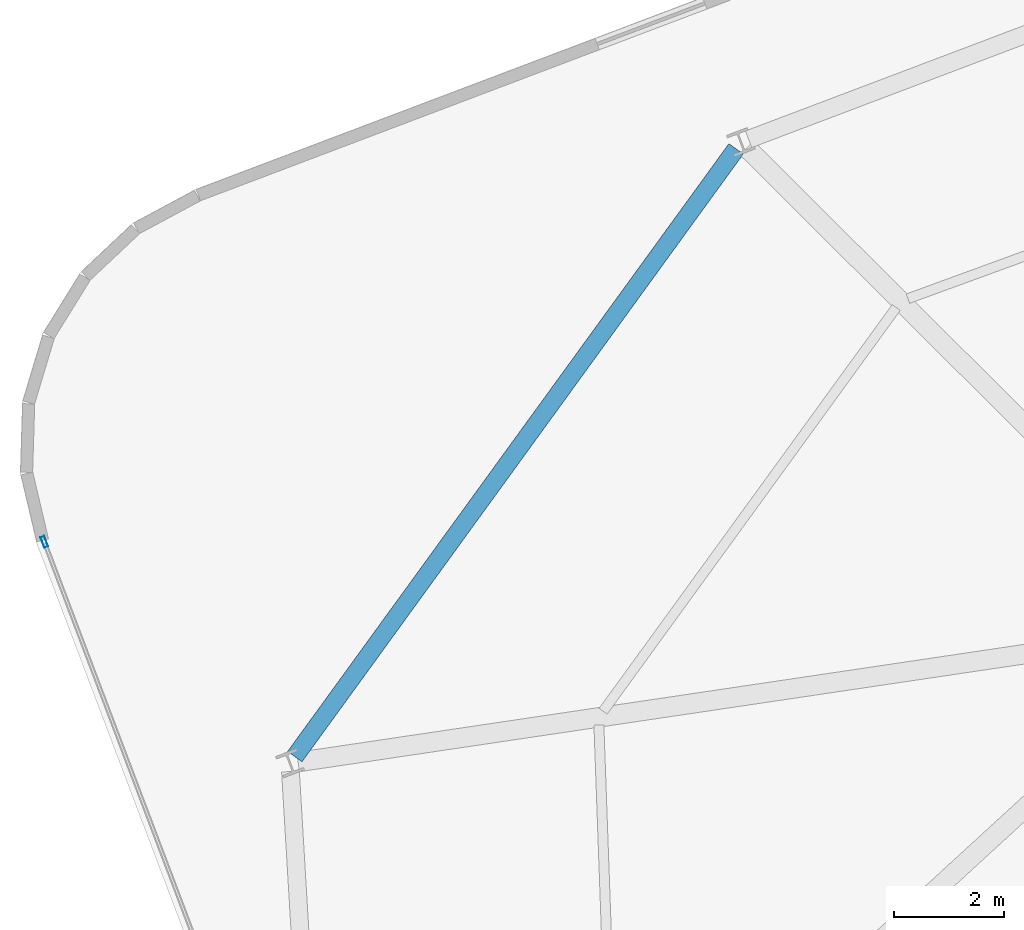
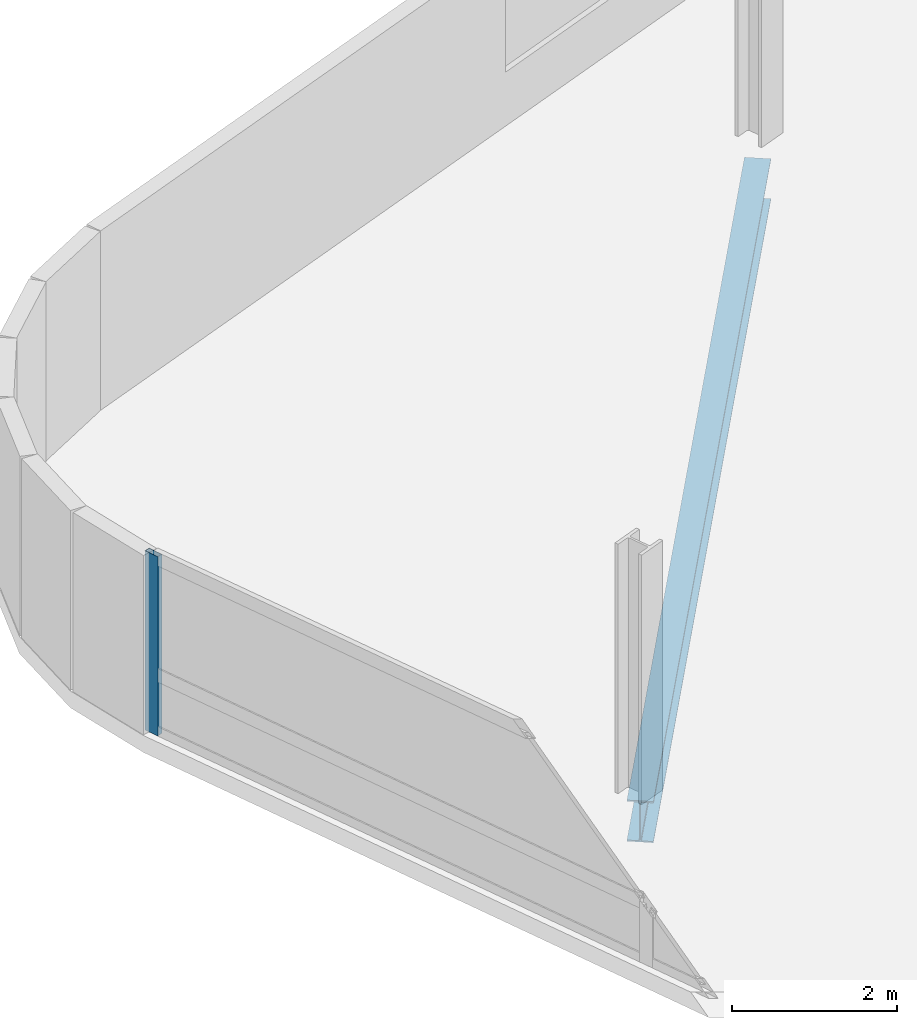
# One storey, part 8 of 19: 1 beam, 1 member, 1 element without a shape of its own.
"""IFC4 building model written with IfcOpenShell, lengths in metres."""

from ifc_helpers import new_model, si_unit, direction, frame, origin, origin_2d, place, context, subcontext, project, spatial, hollow_rectangle, i_section, extrude, material, layer, layer_set, material_profile, profile_set, type_object, element, aggregate, save


model = new_model("IFC4")

# Units and contexts
model_context = context("Model", 3, precision=1e-05, world=origin(), true_north=direction((0.0, 1.0)))
body_context = subcontext(model_context, "Body", "Model", "MODEL_VIEW")
ifc_project = project(units=[si_unit("LENGTHUNIT", "METRE"), si_unit("AREAUNIT", "SQUARE_METRE"), si_unit("VOLUMEUNIT", "CUBIC_METRE"), si_unit("PLANEANGLEUNIT", "RADIAN"), si_unit("MASSUNIT", "GRAM", prefix="KILO")], contexts=[model_context])

# Site, building, storey
site_placement = place(None, origin())
site = spatial("IfcSite", under=ifc_project, at=site_placement, CompositionType="ELEMENT")
building_placement = place(site_placement, origin())
building = spatial("IfcBuilding", under=site, at=building_placement, Name="Varnelok Gate Tower", CompositionType="ELEMENT")
storey_placement = place(building_placement, frame((0.0, 0.0, 249.699951171875)))
storey = spatial("IfcBuildingStorey", under=building, at=storey_placement, Name="L64", CompositionType="ELEMENT", Elevation=249.699951171875)

# Beam
ifc_material_1 = material(Name="Structural Steel ASTM A992 Grade 50", Category="steel")
ifc_material_profile_1 = material_profile(ifc_material_1, i_section(OverallWidth=0.323974609375, OverallDepth=0.611083984375, WebThickness=0.0126953125, FlangeThickness=0.01904296875, FilletRadius=0.01806640625, at=origin_2d()), Name="W24X104")
ifc_profile_set_1 = profile_set([ifc_material_profile_1], Name="Structural Steel ASTM A992 Grade 50")
beam_type = type_object("IfcBeamType", Name="BM-SPN-W24X104", PredefinedType="SPANDREL", material=ifc_profile_set_1)
beam_placement = place(storey_placement, frame((15.479736328125, 35.35009765625, -0.555419921875), z_axis=(-0.587549324529, -0.80918835338, 0.0), x_axis=(0.80918835338, -0.587549324529, 0.0)))
element("IfcBeam", 1, at=beam_placement, inside=storey, type_object=beam_type, Name="L64 Perimeter Spandrel Beam 13", PredefinedType="SPANDREL", context=body_context, shape_type="SweptSolid", body=[
    extrude(i_section(OverallWidth=0.323974609375, OverallDepth=0.611083984375, WebThickness=0.0126953125, FlangeThickness=0.01904296875, FilletRadius=0.01806640625, at=origin_2d()), origin(), (0.0, 0.0, 1.0), 13.6953125),
])

# Curtain wall, member
ifc_material_2 = material(Name="Anodized Aluminum Alloy 6063-T6", Category="aluminium")
ifc_layer = layer(ifc_material_2, 0.179931640625)
ifc_layer_set = layer_set([ifc_layer], Name="Anodized Aluminum Alloy 6063-T6")
curtain_wall_type = type_object("IfcCurtainWallType", Name="CW4-RESIDENCE-VISION", PredefinedType="USERDEFINED", material=ifc_layer_set)
curtain_wall_placement = place(storey_placement, origin())
curtain_wall = element("IfcCurtainWall", 2, at=curtain_wall_placement, inside=storey, type_object=curtain_wall_type, Name="L64 West End Vision Curtain Wall", ObjectType="UNITISED CURTAIN WALL", PredefinedType="USERDEFINED")
ifc_material_profile_2 = material_profile(ifc_material_2, hollow_rectangle(XDim=0.074951171875, YDim=0.199951171875, WallThickness=0.00390625, at=origin_2d()), Name="ALU200X75X4")
ifc_profile_set_2 = profile_set([ifc_material_profile_2], Name="Anodized Aluminum Alloy 6063-T6")
member_type = type_object("IfcMemberType", Name="CW-MULL-200", PredefinedType="MULLION", material=ifc_profile_set_2)
member_placement = place(storey_placement, frame((2.864990234375, 28.1845703125, 0.0), z_axis=(0.0, 0.0, 1.0), x_axis=(-0.935221557832, -0.354063042079, 0.0)))
member = element("IfcMember", 3, at=member_placement, type_object=member_type, Name="CW4 mullion 5", PredefinedType="MULLION", context=body_context, shape_type="SweptSolid", body=[
    extrude(hollow_rectangle(XDim=0.074951171875, YDim=0.199951171875, WallThickness=0.00390625, at=origin_2d()), origin(), (0.0, 0.0, 1.0), 2.66015625),
])
aggregate(curtain_wall, [member])

save(model, "model.ifc")
